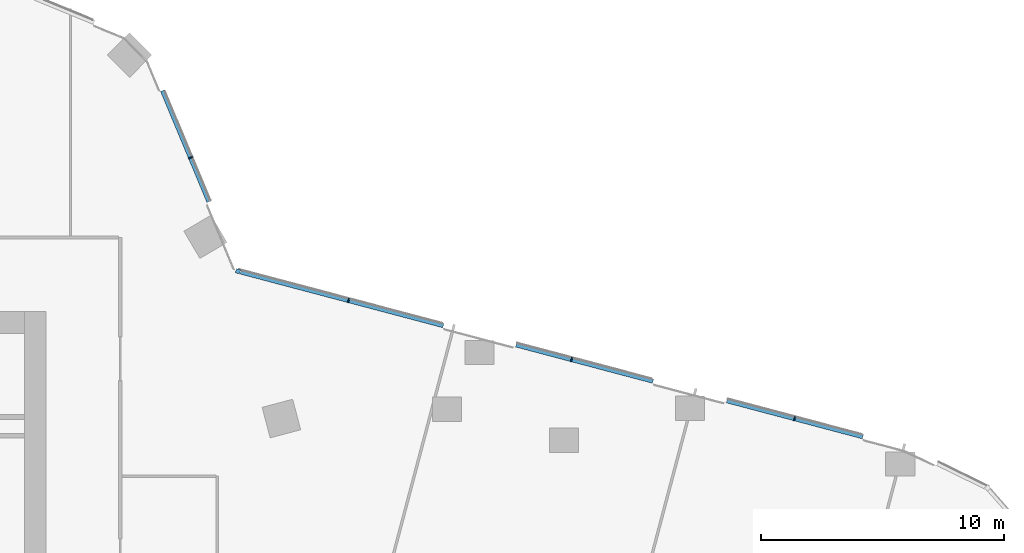
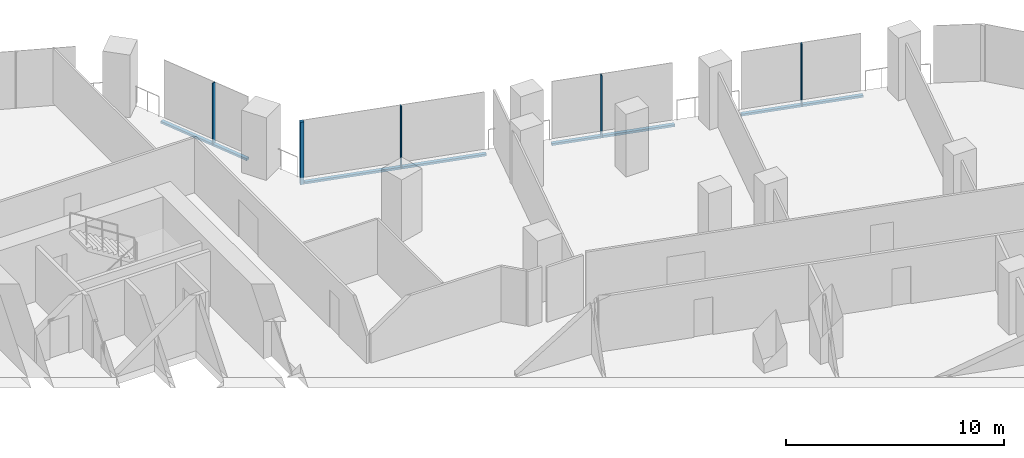
# One storey, part 12 of 34: 9 members, 2 elements without a shape of their own.
"""IFC4 building model written with IfcOpenShell, lengths in metres."""

from ifc_helpers import new_model, si_unit, direction, frame, origin, origin_2d, place, context, subcontext, project, spatial, rectangle, extrude, material, material_profile, profile_set, type_object, element, aggregate, save


model = new_model("IFC4")

# Units and contexts
model_context = context("Model", 3, precision=1e-05, world=origin(), true_north=direction((0.0, 1.0)))
body_context = subcontext(model_context, "Body", "Model", "MODEL_VIEW")
ifc_project = project(units=[si_unit("LENGTHUNIT", "METRE"), si_unit("AREAUNIT", "SQUARE_METRE"), si_unit("VOLUMEUNIT", "CUBIC_METRE"), si_unit("PLANEANGLEUNIT", "RADIAN"), si_unit("MASSUNIT", "GRAM", prefix="KILO")], contexts=[model_context])

# Site, building, storey
site_placement = place(None, origin())
site = spatial("IfcSite", under=ifc_project, at=site_placement, CompositionType="ELEMENT")
building_placement = place(site_placement, origin())
building = spatial("IfcBuilding", under=site, at=building_placement, Name="Orlundy Tower", CompositionType="ELEMENT")
storey_placement = place(building_placement, frame((0.0, 0.0, 102.199951171875)))
storey = spatial("IfcBuildingStorey", under=building, at=storey_placement, Name="L25", CompositionType="ELEMENT", Elevation=102.199951171875)

# Curtain wall, member
ifc_material_1 = material(Name="Aluminium bronze anodised", Category="aluminium")
curtain_wall_type = type_object("IfcCurtainWallType", Name="CW1 wall", PredefinedType="NOTDEFINED", material=ifc_material_1)
curtain_wall_1_placement = place(storey_placement, origin())
curtain_wall_1 = element("IfcCurtainWall", 1, at=curtain_wall_1_placement, inside=storey, type_object=curtain_wall_type, Name="CW1 run 018", PredefinedType="NOTDEFINED")
ifc_material_2 = material(Name="Aluminium bronze anodised", Category="aluminium")
ifc_material_profile_1 = material_profile(ifc_material_2, rectangle(XDim=0.179931640625, YDim=0.179931640625, at=origin_2d()), Name="CW1 corner post 180x180")
ifc_profile_set_1 = profile_set([ifc_material_profile_1], Name="Aluminium bronze anodised")
member_type_1 = type_object("IfcMemberType", Name="CW1 corner post 180x180", PredefinedType="MULLION", material=ifc_profile_set_1)
member_1_placement = place(storey_placement, frame((26.905029296875, 13.65771484375, -0.39990234375), z_axis=(0.0, 0.0, 1.0), x_axis=(0.256019713949, 0.966671560598, 0.0)))
member_1 = element("IfcMember", 2, at=member_1_placement, type_object=member_type_1, Name="CW1 mullion 51", PredefinedType="MULLION", context=body_context, shape_type="SweptSolid", body=[
    extrude(rectangle(XDim=0.179931640625, YDim=0.179931640625, at=origin_2d()), origin(), (0.0, 0.0, 1.0), 3.5),
])

curtain_wall_2_placement = place(storey_placement, origin())
curtain_wall_2 = element("IfcCurtainWall", 3, at=curtain_wall_2_placement, inside=storey, type_object=curtain_wall_type, Name="CW1 run 017", PredefinedType="NOTDEFINED")
ifc_material_3 = material(Name="Aluminium bronze anodised", Category="aluminium")
ifc_material_profile_2 = material_profile(ifc_material_3, rectangle(XDim=0.179931640625, YDim=0.050048828125, at=origin_2d()), Name="CW1 mullion 50x180")
ifc_profile_set_2 = profile_set([ifc_material_profile_2], Name="Aluminium bronze anodised")
member_type_2 = type_object("IfcMemberType", Name="CW1 mullion 50x180", PredefinedType="MULLION", material=ifc_profile_set_2)
member_2_placement = place(storey_placement, frame((24.949462890625, 18.339599609375, -0.39990234375), z_axis=(0.0, 0.0, 1.0), x_axis=(0.922758688949, 0.385378258299, 0.0)))
member_2 = element("IfcMember", 4, at=member_2_placement, type_object=member_type_2, Name="CW1 mullion 50", PredefinedType="MULLION", context=body_context, shape_type="SweptSolid", body=[
    extrude(rectangle(XDim=0.179931640625, YDim=0.050048828125, at=origin_2d()), origin(), (0.0, 0.0, 1.0), 3.5),
])

# Member
member_3_placement = place(storey_placement, frame((31.458984375, 12.451416015625, -0.39990234375), z_axis=(0.0, 0.0, 1.0), x_axis=(0.256019713949, 0.966671560598, 0.0)))
member_3 = element("IfcMember", 5, at=member_3_placement, type_object=member_type_2, Name="CW1 mullion 52", PredefinedType="MULLION", context=body_context, shape_type="SweptSolid", body=[
    extrude(rectangle(XDim=0.179931640625, YDim=0.050048828125, at=origin_2d()), origin(), (0.0, 0.0, 1.0), 3.5),
])

member_4_placement = place(storey_placement, frame((40.653076171875, 10.0166015625, -0.39990234375), z_axis=(0.0, 0.0, 1.0), x_axis=(0.256019713949, 0.966671560598, 0.0)))
member_4 = element("IfcMember", 6, at=member_4_placement, type_object=member_type_2, Name="CW1 mullion 54", PredefinedType="MULLION", context=body_context, shape_type="SweptSolid", body=[
    extrude(rectangle(XDim=0.179931640625, YDim=0.050048828125, at=origin_2d()), origin(), (0.0, 0.0, 1.0), 3.5),
])

member_5_placement = place(storey_placement, frame((49.846923828125, 7.58154296875, -0.39990234375), z_axis=(0.0, 0.0, 1.0), x_axis=(0.256019713949, 0.966671560598, 0.0)))
member_5 = element("IfcMember", 7, at=member_5_placement, type_object=member_type_2, Name="CW1 mullion 56", PredefinedType="MULLION", context=body_context, shape_type="SweptSolid", body=[
    extrude(rectangle(XDim=0.179931640625, YDim=0.050048828125, at=origin_2d()), origin(), (0.0, 0.0, 1.0), 3.5),
])

ifc_material_4 = material(Name="Aluminium bronze anodised", Category="aluminium")
ifc_material_profile_3 = material_profile(ifc_material_4, rectangle(XDim=0.179931640625, YDim=0.1201171875, at=origin_2d()), Name="CW1 transom 180x120")
ifc_profile_set_3 = profile_set([ifc_material_profile_3], Name="Aluminium bronze anodised")
member_type_3 = type_object("IfcMemberType", Name="CW1 transom 180x120", PredefinedType="USERDEFINED", material=ifc_profile_set_3)
member_6_placement = place(storey_placement, frame((23.796142578125, 21.1015625, -0.33984375), z_axis=(0.385360183678, -0.922766237373, 0.0), x_axis=(0.922766237373, 0.385360183678, 0.0)))
member_6 = element("IfcMember", 8, at=member_6_placement, type_object=member_type_3, Name="CW1 transom", ObjectType="TRANSOM", PredefinedType="USERDEFINED", context=body_context, shape_type="SweptSolid", body=[
    extrude(rectangle(XDim=0.179931640625, YDim=0.1201171875, at=origin_2d()), origin(), (0.0, 0.0, 1.0), 4.956787109375),
])

aggregate(curtain_wall_2, [member_2, member_6])

member_7_placement = place(storey_placement, frame((27.0166015625, 13.6279296875, -0.33984375), z_axis=(0.966674382487, -0.25600905891, 0.0), x_axis=(0.25600905891, 0.966674382487, 0.0)))
member_7 = element("IfcMember", 9, at=member_7_placement, type_object=member_type_3, Name="CW1 transom", ObjectType="TRANSOM", PredefinedType="USERDEFINED", context=body_context, shape_type="SweptSolid", body=[
    extrude(rectangle(XDim=0.179931640625, YDim=0.1201171875, at=origin_2d()), origin(), (0.0, 0.0, 1.0), 8.639892578125),
])

member_8_placement = place(storey_placement, frame((38.365478515625, 10.622314453125, -0.33984375), z_axis=(0.966671169166, -0.256021191903, 0.0), x_axis=(0.256021191903, 0.966671169166, 0.0)))
member_8 = element("IfcMember", 10, at=member_8_placement, type_object=member_type_3, Name="CW1 transom", ObjectType="TRANSOM", PredefinedType="USERDEFINED", context=body_context, shape_type="SweptSolid", body=[
    extrude(rectangle(XDim=0.179931640625, YDim=0.1201171875, at=origin_2d()), origin(), (0.0, 0.0, 1.0), 5.8427734375),
])

member_9_placement = place(storey_placement, frame((47.056640625, 8.320556640625, -0.33984375), z_axis=(0.966670916978, -0.256022144098, 0.0), x_axis=(0.256022144098, 0.966670916978, 0.0)))
member_9 = element("IfcMember", 11, at=member_9_placement, type_object=member_type_3, Name="CW1 transom", ObjectType="TRANSOM", PredefinedType="USERDEFINED", context=body_context, shape_type="SweptSolid", body=[
    extrude(rectangle(XDim=0.179931640625, YDim=0.1201171875, at=origin_2d()), origin(), (0.0, 0.0, 1.0), 5.7998046875),
])

aggregate(curtain_wall_1, [member_1, member_3, member_4, member_5, member_7, member_8, member_9])

save(model, "model.ifc")
